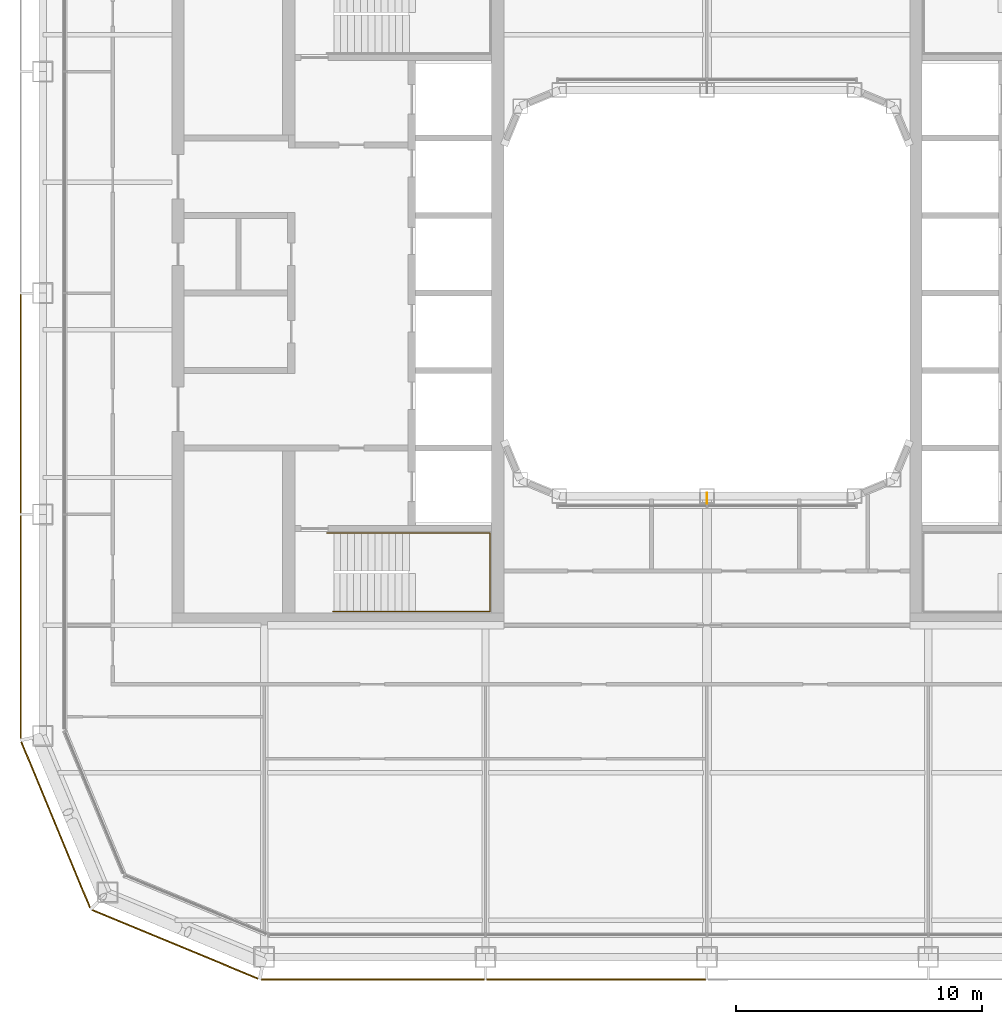
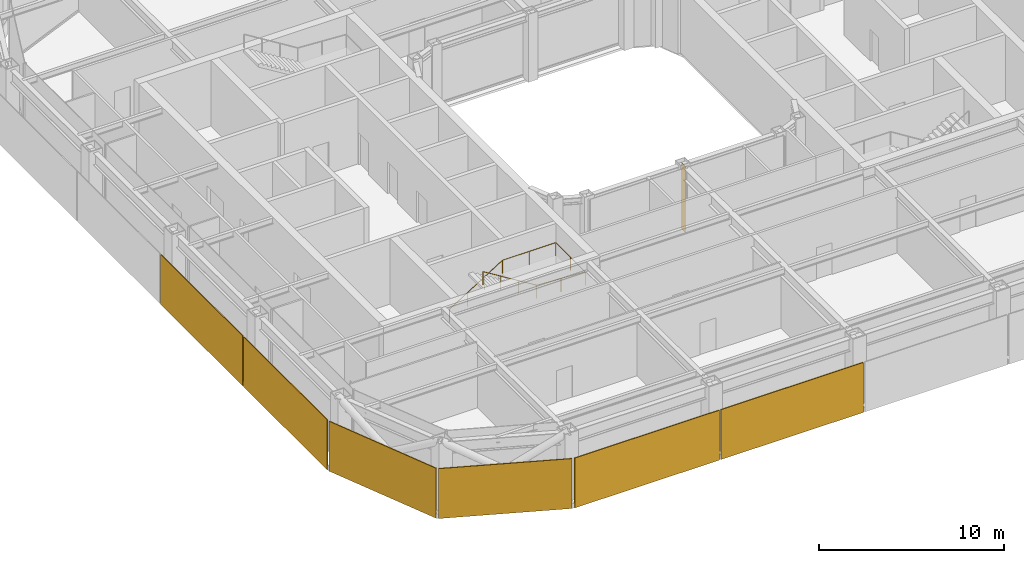
# One storey, part 16 of 19: 6 coverings, 1 railing, 1 shading device.
"""IFC4 building model written with IfcOpenShell, lengths in metres."""

from ifc_helpers import new_model, si_unit, direction, frame, origin, origin_2d, place, context, subcontext, project, spatial, rectangle, circle, extrude, material, layer, layer_set, type_object, element, save


model = new_model("IFC4")

# Units and contexts
model_context = context("Model", 3, precision=1e-05, world=origin(), true_north=direction((0.0, 1.0)))
body_context = subcontext(model_context, "Body", "Model", "MODEL_VIEW")
ifc_project = project(units=[si_unit("LENGTHUNIT", "METRE"), si_unit("AREAUNIT", "SQUARE_METRE"), si_unit("VOLUMEUNIT", "CUBIC_METRE"), si_unit("PLANEANGLEUNIT", "RADIAN"), si_unit("MASSUNIT", "GRAM", prefix="KILO")], contexts=[model_context])

# Site, building, storey
site_placement = place(None, origin())
site = spatial("IfcSite", under=ifc_project, at=site_placement, CompositionType="ELEMENT")
building_placement = place(site_placement, origin())
building = spatial("IfcBuilding", under=site, at=building_placement, Name="Siwar Civic Tower", CompositionType="ELEMENT")
storey_placement = place(building_placement, frame((0.0, 0.0, 210.699951171875)))
storey = spatial("IfcBuildingStorey", under=building, at=storey_placement, Name="L45", CompositionType="ELEMENT", Elevation=210.699951171875)

# Railing
ifc_material_1 = material(Name="Stainless steel", Category="steel")
railing_type = type_object("IfcRailingType", Name="CORE-STAIR-HANDRAIL", PredefinedType="HANDRAIL", material=ifc_material_1)
railing_placement = place(storey_placement, frame((-15.449951171875, -9.758056640625, 0.173095703125)))
element("IfcRailing", 1, at=railing_placement, inside=storey, type_object=railing_type, Name="Stair handrail ST2", PredefinedType="HANDRAIL", context=body_context, shape_type="SweptSolid", body=[
    extrude(circle(Radius=0.02001953125, at=origin_2d()), frame((0.0, 0.0, 0.8798828125), z_axis=(0.847063342986, 0.0, 0.531491950051), x_axis=(0.0, 1.0, 0.0)), (0.0, 0.0, 1.0), 3.90771484375),
    extrude(circle(Radius=0.02001953125, at=origin_2d()), frame((3.31005859375, 0.0, 2.956787109375), z_axis=(1.0, 0.0, 0.0), x_axis=(0.0, 1.0, 0.0)), (0.0, 0.0, 1.0), 3.331787109375),
    extrude(circle(Radius=0.02001953125, at=origin_2d()), frame((6.641845703125, 0.0, 2.956787109375), z_axis=(0.0, -1.0, 0.0), x_axis=(1.0, 0.0, 0.0)), (0.0, 0.0, 1.0), 3.183837890625),
    extrude(circle(Radius=0.02001953125, at=origin_2d()), frame((6.641845703125, -3.183837890625, 2.956787109375), z_axis=(-0.99837434197, 0.0, 0.056997134106), x_axis=(0.0, -1.0, 0.0)), (0.0, 0.0, 1.0), 3.036865234375),
    extrude(circle(Radius=0.02001953125, at=origin_2d()), frame((3.60986328125, -3.183837890625, 3.1298828125), z_axis=(-0.850606129759, 0.0, 0.525803396734), x_axis=(0.0, -1.0, 0.0)), (0.0, 0.0, 1.0), 3.949951171875),
    extrude(circle(Radius=0.02001953125, at=origin_2d()), origin(), (0.0, 0.0, 1.0), 0.85986328125),
    extrude(circle(Radius=0.02001953125, at=origin_2d()), frame((1.103271484375, 0.0, 0.6923828125)), (0.0, 0.0, 1.0), 0.85986328125),
    extrude(circle(Radius=0.02001953125, at=origin_2d()), frame((2.206787109375, 0.0, 1.384521484375)), (0.0, 0.0, 1.0), 0.85986328125),
    extrude(circle(Radius=0.02001953125, at=origin_2d()), frame((3.31005859375, 0.0, 2.076904296875)), (0.0, 0.0, 1.0), 0.85986328125),
    extrude(circle(Radius=0.02001953125, at=origin_2d()), frame((4.97607421875, 0.0, 2.076904296875)), (0.0, 0.0, 1.0), 0.85986328125),
    extrude(circle(Radius=0.02001953125, at=origin_2d()), frame((6.641845703125, 0.0, 2.076904296875)), (0.0, 0.0, 1.0), 0.85986328125),
    extrude(circle(Radius=0.02001953125, at=origin_2d()), frame((6.641845703125, -1.591796875, 2.076904296875)), (0.0, 0.0, 1.0), 0.85986328125),
    extrude(circle(Radius=0.02001953125, at=origin_2d()), frame((6.641845703125, -3.183837890625, 2.076904296875)), (0.0, 0.0, 1.0), 0.85986328125),
    extrude(circle(Radius=0.02001953125, at=origin_2d()), frame((5.1259765625, -3.183837890625, 2.16357421875)), (0.0, 0.0, 1.0), 0.85986328125),
    extrude(circle(Radius=0.02001953125, at=origin_2d()), frame((3.60986328125, -3.183837890625, 2.25)), (0.0, 0.0, 1.0), 0.85986328125),
    extrude(circle(Radius=0.02001953125, at=origin_2d()), frame((2.489990234375, -3.183837890625, 2.9423828125)), (0.0, 0.0, 1.0), 0.85986328125),
    extrude(circle(Radius=0.02001953125, at=origin_2d()), frame((1.369873046875, -3.183837890625, 3.634521484375)), (0.0, 0.0, 1.0), 0.85986328125),
    extrude(circle(Radius=0.02001953125, at=origin_2d()), frame((0.25, -3.183837890625, 4.326904296875)), (0.0, 0.0, 1.0), 0.85986328125),
])

# Shading device
ifc_material_2 = material(Name="Aluminium 6063-T6", Category="aluminium")
ifc_layer_1 = layer(ifc_material_2, 0.02001953125)
ifc_layer_set_1 = layer_set([ifc_layer_1], Name="Aluminium 6063-T6")
shading_device_type = type_object("IfcShadingDeviceType", Name="ENV-FIN", PredefinedType="JALOUSIE", material=ifc_layer_set_1)
shading_device_placement = place(storey_placement, frame((0.0, -8.344970703125, 0.0), z_axis=(0.0, 0.0, 1.0), x_axis=(1.0, 0.0, 0.0)))
element("IfcShadingDevice", 2, at=shading_device_placement, inside=storey, type_object=shading_device_type, Name="SUNSHADE fin WS 1", PredefinedType="JALOUSIE", context=body_context, shape_type="SweptSolid", body=[
    extrude(rectangle(XDim=0.02001953125, YDim=0.449951171875, at=origin_2d()), origin(), (0.0, 0.0, 1.0), 4.35009765625),
])

# Coverings
ifc_material_3 = material(Name="Perforated aluminium cassette, pale metal", Category="aluminium")
ifc_layer_2 = layer(ifc_material_3, 0.050048828125)
ifc_layer_set_2 = layer_set([ifc_layer_2], Name="Perforated aluminium cassette, pale metal")
covering_type_1 = type_object("IfcCoveringType", Name="ENV-OUTER SKIN OS-3", PredefinedType="CLADDING", material=ifc_layer_set_2)
covering_1_placement = place(storey_placement, frame((-27.89990234375, -4.5, -0.14990234375), z_axis=(0.0, 0.0, 1.0), x_axis=(0.0, -1.0, 0.0)))
element("IfcCovering", 3, at=covering_1_placement, inside=storey, type_object=covering_type_1, Name="OUTER SKIN OS-3 W 3", PredefinedType="CLADDING", context=body_context, shape_type="SweptSolid", body=[
    extrude(rectangle(XDim=8.89990234375, YDim=0.050048828125, at=origin_2d()), origin(), (0.0, 0.0, 1.0), 3.300048828125),
])
covering_2_placement = place(storey_placement, frame((-27.89990234375, -13.57958984375, -0.14990234375), z_axis=(0.0, 0.0, 1.0), x_axis=(0.0, -1.0, 0.0)))
element("IfcCovering", 4, at=covering_2_placement, inside=storey, type_object=covering_type_1, Name="OUTER SKIN OS-3 W 4", PredefinedType="CLADDING", context=body_context, shape_type="SweptSolid", body=[
    extrude(rectangle(XDim=9.05908203125, YDim=0.050048828125, at=origin_2d()), origin(), (0.0, 0.0, 1.0), 3.300048828125),
])
ifc_material_4 = material(Name="Perforated aluminium cassette, pale metal", Category="aluminium")
ifc_layer_3 = layer(ifc_material_4, 0.054931640625)
ifc_layer_set_3 = layer_set([ifc_layer_3], Name="Perforated aluminium cassette, pale metal")
covering_type_2 = type_object("IfcCoveringType", Name="ENV-OUTER SKIN OS-4", PredefinedType="CLADDING", material=ifc_layer_set_3)
covering_3_placement = place(storey_placement, frame((-13.57958984375, -27.89990234375, -0.14990234375), z_axis=(0.0, 0.0, 1.0), x_axis=(1.0, 0.0, 0.0)))
element("IfcCovering", 5, at=covering_3_placement, inside=storey, type_object=covering_type_2, Name="OUTER SKIN OS-4 S 1", PredefinedType="CLADDING", context=body_context, shape_type="SweptSolid", body=[
    extrude(rectangle(XDim=9.05908203125, YDim=0.054931640625, at=origin_2d()), origin(), (0.0, 0.0, 1.0), 3.300048828125),
])
covering_4_placement = place(storey_placement, frame((-4.5, -27.89990234375, -0.14990234375), z_axis=(0.0, 0.0, 1.0), x_axis=(1.0, 0.0, 0.0)))
element("IfcCovering", 6, at=covering_4_placement, inside=storey, type_object=covering_type_2, Name="OUTER SKIN OS-4 S 2", PredefinedType="CLADDING", context=body_context, shape_type="SweptSolid", body=[
    extrude(rectangle(XDim=8.89990234375, YDim=0.054931640625, at=origin_2d()), origin(), (0.0, 0.0, 1.0), 3.300048828125),
])
for number, where, z_axis, x_axis, name in (
    (7, (-26.476318359375, -21.615966796875, -0.14990234375), (0.0, 0.0, 1.0), (0.382683432365, -0.923879532511, 0.0), "OUTER SKIN OS-4 SW1 1"),
    (8, (-21.615966796875, -26.476318359375, -0.14990234375), (0.0, 0.0, 1.0), (0.923879532511, -0.382683432365, 0.0), "OUTER SKIN OS-4 SW2 1"),
):
    element("IfcCovering", number, at=place(storey_placement, frame(where, z_axis=z_axis, x_axis=x_axis)), inside=storey, type_object=covering_type_2, Name=name, PredefinedType="CLADDING", context=body_context, shape_type="SweptSolid", body=[
        extrude(rectangle(XDim=7.300048828125, YDim=0.054931640625, at=origin_2d()), origin(), (0.0, 0.0, 1.0), 3.300048828125),
    ])

save(model, "model.ifc")
